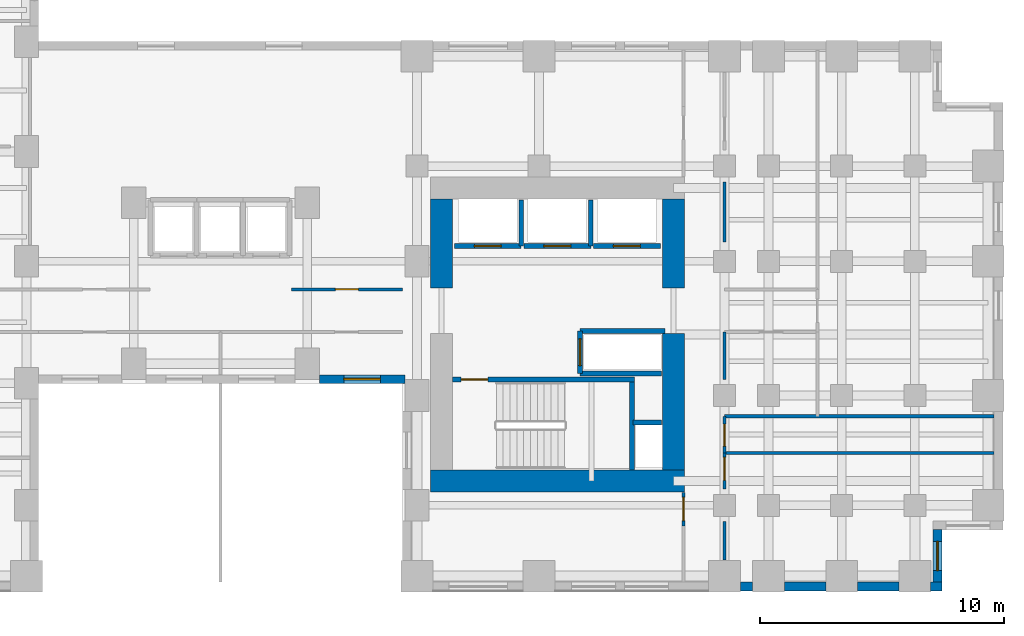
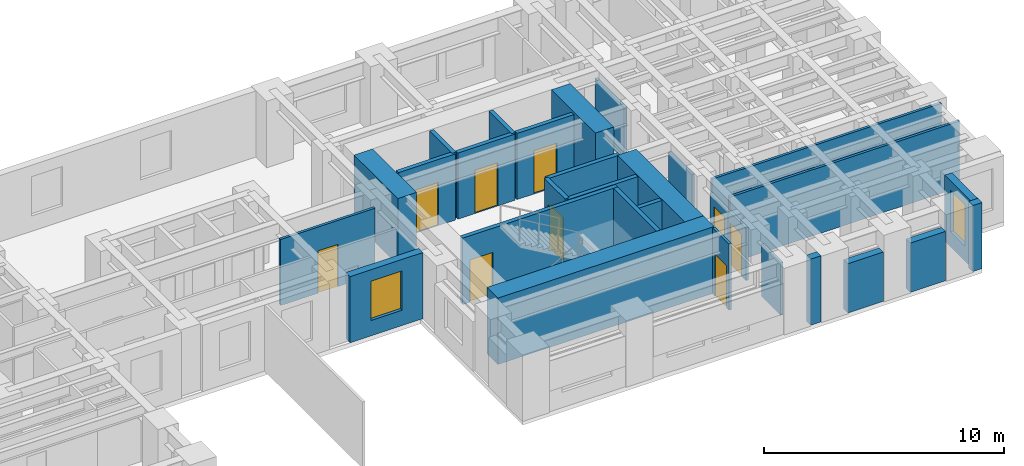
# One storey, part 7 of 12: 30 walls, 9 doors, 2 windows, 11 openings.
"""IFC4 building model written with IfcOpenShell, lengths in metres."""

from ifc_helpers import new_model, si_unit, direction, frame, frame_2d, origin, place, context, subcontext, project, spatial, rectangle, extrude, source, transform, mapped, material, layer, layer_set, type_object, element, fill, save


model = new_model("IFC4")

# Units and contexts
model_context = context("Model", 3, precision=1e-05, world=origin(), true_north=direction((0.0, 1.0)))
body_context = subcontext(model_context, "Body", "Model", "MODEL_VIEW")
ifc_project = project(units=[si_unit("LENGTHUNIT", "METRE"), si_unit("AREAUNIT", "SQUARE_METRE"), si_unit("VOLUMEUNIT", "CUBIC_METRE"), si_unit("PLANEANGLEUNIT", "RADIAN"), si_unit("MASSUNIT", "GRAM", prefix="KILO")], contexts=[model_context])

# Site, building, storey
site_placement = place(None, origin())
site = spatial("IfcSite", under=ifc_project, at=site_placement, CompositionType="ELEMENT")
building_placement = place(site_placement, origin())
building = spatial("IfcBuilding", under=site, at=building_placement, Name="Kharzan Plaza Tower", CompositionType="ELEMENT")
storey_placement = place(building_placement, frame((0.0, 0.0, 26.10009765625)))
storey = spatial("IfcBuildingStorey", under=building, at=storey_placement, Name="L06", CompositionType="ELEMENT", Elevation=26.10009765625)

# Wall, opening, window
ifc_material_1 = material(Name="Concrete C40/50", Category="concrete")
ifc_layer_1 = layer(ifc_material_1, 0.35009765625)
ifc_layer_set_1 = layer_set([ifc_layer_1], Name="Concrete C40/50")
wall_type_1 = type_object("IfcWallType", Name="WL-EXT-MAS-Z1", PredefinedType="SOLIDWALL", material=ifc_layer_set_1)
wall_1_placement = place(storey_placement, frame((30.998046875, 8.675048828125, 0.0), z_axis=(0.0, 0.0, 1.0), x_axis=(1.0, 0.0, 0.0)))
wall_1 = element("IfcWall", 1, at=wall_1_placement, inside=storey, type_object=wall_type_1, Name="L06 Masonry-Frame Exterior Wall 30", PredefinedType="SOLIDWALL", context=body_context, shape_type="SweptSolid", body=[
    extrude(rectangle(XDim=3.50390625, YDim=0.35009765625, at=frame_2d((1.751953125, 0.0))), origin(), (0.0, 0.0, 1.0), 3.364990234375),
])
opening_1_placement = place(wall_1_placement, frame((1.001953125, 0.0, 0.780029296875)))
opening_1 = element("IfcOpeningElement", 2, at=opening_1_placement, cuts=wall_1, Name="Opening W5", PredefinedType="OPENING", context=body_context, shape_type="SweptSolid", body=[
    extrude(rectangle(XDim=1.5, YDim=2.0, at=frame_2d((0.75, 1.0))), frame((0.0, 0.18505859375, 0.0), z_axis=(0.0, -1.0, 0.0), x_axis=(1.0, 0.0, 0.0)), (0.0, 0.0, 1.0), 0.3701171875),
])
ifc_material_2 = material(Name="Low-E Double Glazing", Category="glass")
window_type_1 = type_object("IfcWindowType", Name="WN-SLT-1500x2000", PartitioningType="SINGLE_PANEL", PredefinedType="WINDOW", material=ifc_material_2)
shared_shape_1 = source(origin(), body_context, "Body", "SweptSolid", [
    extrude(rectangle(XDim=1.5, YDim=2.0, at=frame_2d((0.75, 1.0))), frame((0.0, 0.030029296875, 0.0), z_axis=(0.0, -1.0, 0.0), x_axis=(1.0, 0.0, 0.0)), (0.0, 0.0, 1.0), 0.06005859375),
])
window_1_placement = place(opening_1_placement, origin())
window_1 = element("IfcWindow", 3, at=window_1_placement, inside=storey, type_object=window_type_1, Name="L06 Recessed Solar-Control Window 30-1", OverallHeight=2.0, OverallWidth=1.5, PartitioningType="SINGLE_PANEL", PredefinedType="WINDOW", context=body_context, shape_type="MappedRepresentation", body=[
    mapped(shared_shape_1, transform((0.0, 0.0, 0.0), x_axis=(1.0, 0.0, 0.0), y_axis=(0.0, 1.0, 0.0), z_axis=(0.0, 0.0, 1.0))),
])
fill(opening_1, window_1)

wall_2_placement = place(storey_placement, frame((56.324951171875, 0.347900390625, 0.0), z_axis=(0.0, 0.0, 1.0), x_axis=(0.0, 1.0, 0.0)))
wall_2 = element("IfcWall", 4, at=wall_2_placement, inside=storey, type_object=wall_type_1, Name="L06 Masonry-Frame Exterior Wall 39", PredefinedType="SOLIDWALL", context=body_context, shape_type="SweptSolid", body=[
    extrude(rectangle(XDim=2.154052734375, YDim=0.35009765625, at=frame_2d((1.0771484375, 0.0))), origin(), (0.0, 0.0, 1.0), 3.364990234375),
])
opening_2_placement = place(wall_2_placement, frame((0.47705078125, 0.0, 0.780029296875)))
opening_2 = element("IfcOpeningElement", 5, at=opening_2_placement, cuts=wall_2, Name="Opening W3", PredefinedType="OPENING", context=body_context, shape_type="SweptSolid", body=[
    extrude(rectangle(XDim=1.199951171875, YDim=2.10009765625, at=frame_2d((0.60009765625, 1.050048828125))), frame((0.0, 0.18505859375, 0.0), z_axis=(0.0, -1.0, 0.0), x_axis=(1.0, 0.0, 0.0)), (0.0, 0.0, 1.0), 0.3701171875),
])
window_type_2 = type_object("IfcWindowType", Name="WN-REC-1200x2100", PartitioningType="SINGLE_PANEL", PredefinedType="WINDOW", material=ifc_material_2)
shared_shape_2 = source(origin(), body_context, "Body", "SweptSolid", [
    extrude(rectangle(XDim=1.199951171875, YDim=2.10009765625, at=frame_2d((0.60009765625, 1.050048828125))), frame((0.0, 0.030029296875, 0.0), z_axis=(0.0, -1.0, 0.0), x_axis=(1.0, 0.0, 0.0)), (0.0, 0.0, 1.0), 0.06005859375),
])
window_2_placement = place(opening_2_placement, origin())
window_2 = element("IfcWindow", 6, at=window_2_placement, inside=storey, type_object=window_type_2, Name="L06 Recessed Solar-Control Window 39-1", OverallHeight=2.10009765625, OverallWidth=1.199951171875, PartitioningType="SINGLE_PANEL", PredefinedType="WINDOW", context=body_context, shape_type="MappedRepresentation", body=[
    mapped(shared_shape_2, transform((0.0, 0.0, 0.0), x_axis=(1.0, 0.0, 0.0), y_axis=(0.0, 1.0, 0.0), z_axis=(0.0, 0.0, 1.0))),
])
fill(opening_2, window_2)

# Wall, opening, door
ifc_material_3 = material(Name="Fire-Rated Gypsum Board Partition", Category="gypsum")
ifc_layer_2 = layer(ifc_material_3, 0.125)
ifc_layer_set_2 = layer_set([ifc_layer_2], Name="Fire-Rated Gypsum Board Partition")
wall_type_2 = type_object("IfcWallType", Name="WL-INT-PART-125", PredefinedType="PARTITIONING", material=ifc_layer_set_2)
wall_3_placement = place(storey_placement, frame((47.60009765625, 4.159912109375, 0.0), z_axis=(0.0, 0.0, 1.0), x_axis=(0.0, 1.0, 0.0)))
wall_3 = element("IfcWall", 7, at=wall_3_placement, inside=storey, type_object=wall_type_2, Name="L06 Interior Partition SH-B2W0", PredefinedType="PARTITIONING", context=body_context, shape_type="SweptSolid", body=[
    extrude(rectangle(XDim=1.489990234375, YDim=0.125, at=frame_2d((0.7451171875, 0.0))), origin(), (0.0, 0.0, 1.0), 2.669921875),
])
opening_3_placement = place(wall_3_placement, frame((0.360107421875, 0.0, 0.0)))
opening_3 = element("IfcOpeningElement", 8, at=opening_3_placement, cuts=wall_3, Name="Opening OD1", PredefinedType="OPENING", context=body_context, shape_type="SweptSolid", body=[
    extrude(rectangle(XDim=0.949951171875, YDim=2.14990234375, at=frame_2d((0.47509765625, 1.074951171875))), frame((0.0, 0.072509765625, 0.0), z_axis=(0.0, -1.0, 0.0), x_axis=(1.0, 0.0, 0.0)), (0.0, 0.0, 1.0), 0.14501953125),
])
ifc_material_4 = material(Name="Acoustic Solid-Core Stained Oak", Category="timber")
door_type_1 = type_object("IfcDoorType", Name="DR-OFF-SINGLE", OperationType="NOTDEFINED", PredefinedType="DOOR", material=ifc_material_4)
shared_shape_3 = source(origin(), body_context, "Body", "SweptSolid", [
    extrude(rectangle(XDim=0.949951171875, YDim=2.14990234375, at=frame_2d((0.47509765625, 1.074951171875))), frame((0.0, 0.02490234375, 0.0), z_axis=(0.0, -1.0, 0.0), x_axis=(1.0, 0.0, 0.0)), (0.0, 0.0, 1.0), 0.050048828125),
])
door_1_placement = place(opening_3_placement, origin())
door_1 = element("IfcDoor", 9, at=door_1_placement, inside=storey, type_object=door_type_1, Name="L06 Wing B South Office Door", OperationType="SINGLE_SWING_RIGHT", OverallHeight=2.14990234375, OverallWidth=0.949951171875, PredefinedType="DOOR", context=body_context, shape_type="MappedRepresentation", body=[
    mapped(shared_shape_3, transform((0.0, 0.0, 0.0), x_axis=(1.0, 0.0, 0.0), y_axis=(0.0, 1.0, 0.0), z_axis=(0.0, 0.0, 1.0))),
])
fill(opening_3, door_1)

wall_4_placement = place(storey_placement, frame((47.60009765625, 5.64990234375, 0.0), z_axis=(0.0, 0.0, 1.0), x_axis=(0.0, 1.0, 0.0)))
wall_4 = element("IfcWall", 10, at=wall_4_placement, inside=storey, type_object=wall_type_2, Name="L06 Interior Partition SH-B2WC", PredefinedType="PARTITIONING", context=body_context, shape_type="SweptSolid", body=[
    extrude(rectangle(XDim=1.5, YDim=0.125, at=frame_2d((0.75, 0.0))), origin(), (0.0, 0.0, 1.0), 2.669921875),
])
opening_4_placement = place(wall_4_placement, frame((0.27490234375, 0.0, 0.0)))
opening_4 = element("IfcOpeningElement", 11, at=opening_4_placement, cuts=wall_4, Name="Opening WD1", PredefinedType="OPENING", context=body_context, shape_type="SweptSolid", body=[
    extrude(rectangle(XDim=0.89990234375, YDim=2.14990234375, at=frame_2d((0.449951171875, 1.074951171875))), frame((0.0, 0.072509765625, 0.0), z_axis=(0.0, -1.0, 0.0), x_axis=(1.0, 0.0, 0.0)), (0.0, 0.0, 1.0), 0.14501953125),
])
ifc_material_5 = material(Name="Moisture-Resistant Fire-Rated Laminate", Category="timber")
door_type_2 = type_object("IfcDoorType", Name="DR-WC-900", OperationType="NOTDEFINED", PredefinedType="DOOR", material=ifc_material_5)
shared_shape_4 = source(origin(), body_context, "Body", "SweptSolid", [
    extrude(rectangle(XDim=0.89990234375, YDim=2.14990234375, at=frame_2d((0.449951171875, 1.074951171875))), frame((0.0, 0.02490234375, 0.0), z_axis=(0.0, -1.0, 0.0), x_axis=(1.0, 0.0, 0.0)), (0.0, 0.0, 1.0), 0.050048828125),
])
door_2_placement = place(opening_4_placement, origin())
door_2 = element("IfcDoor", 12, at=door_2_placement, inside=storey, type_object=door_type_2, Name="L06 Wing B Washroom Door", OperationType="SINGLE_SWING_LEFT", OverallHeight=2.14990234375, OverallWidth=0.89990234375, PredefinedType="DOOR", context=body_context, shape_type="MappedRepresentation", body=[
    mapped(shared_shape_4, transform((0.0, 0.0, 0.0), x_axis=(1.0, 0.0, 0.0), y_axis=(0.0, 1.0, 0.0), z_axis=(0.0, 0.0, 1.0))),
])
fill(opening_4, door_2)

wall_5_placement = place(storey_placement, frame((45.919921875, 2.64990234375, 0.0), z_axis=(0.0, 0.0, 1.0), x_axis=(0.0, 1.0, 0.0)))
wall_5 = element("IfcWall", 13, at=wall_5_placement, inside=storey, type_object=wall_type_2, Name="L06 Interior Partition SH-RBSE", PredefinedType="PARTITIONING", context=body_context, shape_type="SweptSolid", body=[
    extrude(rectangle(XDim=1.3701171875, YDim=0.125, at=frame_2d((0.68505859375, 0.0))), origin(), (0.0, 0.0, 1.0), 3.364990234375),
])
opening_5_placement = place(wall_5_placement, frame((0.22509765625, 0.0, 0.0)))
opening_5 = element("IfcOpeningElement", 14, at=opening_5_placement, cuts=wall_5, Name="Opening OD1", PredefinedType="OPENING", context=body_context, shape_type="SweptSolid", body=[
    extrude(rectangle(XDim=0.949951171875, YDim=2.14990234375, at=frame_2d((0.47509765625, 1.074951171875))), frame((0.0, 0.072509765625, 0.0), z_axis=(0.0, -1.0, 0.0), x_axis=(1.0, 0.0, 0.0)), (0.0, 0.0, 1.0), 0.14501953125),
])
door_3_placement = place(opening_5_placement, origin())
door_3 = element("IfcDoor", 15, at=door_3_placement, inside=storey, type_object=door_type_1, Name="L06 South-East Corner Office Door", OperationType="SINGLE_SWING_RIGHT", OverallHeight=2.14990234375, OverallWidth=0.949951171875, PredefinedType="DOOR", context=body_context, shape_type="MappedRepresentation", body=[
    mapped(shared_shape_3, transform((0.0, 0.0, 0.0), x_axis=(1.0, 0.0, 0.0), y_axis=(0.0, 1.0, 0.0), z_axis=(0.0, 0.0, 1.0))),
])
fill(opening_5, door_3)

wall_6_placement = place(storey_placement, frame((29.85009765625, 12.35009765625, 0.0), z_axis=(0.0, 0.0, 1.0), x_axis=(1.0, 0.0, 0.0)))
wall_6 = element("IfcWall", 16, at=wall_6_placement, inside=storey, type_object=wall_type_2, Name="L06 Interior Partition SH-SPNE1", PredefinedType="PARTITIONING", context=body_context, shape_type="SweptSolid", body=[
    extrude(rectangle(XDim=4.5498046875, YDim=0.125, at=frame_2d((2.27490234375, 0.0))), origin(), (0.0, 0.0, 1.0), 3.364990234375),
])
opening_6_placement = place(wall_6_placement, frame((1.800048828125, 0.0, 0.0)))
opening_6 = element("IfcOpeningElement", 17, at=opening_6_placement, cuts=wall_6, Name="Opening OD1", PredefinedType="OPENING", context=body_context, shape_type="SweptSolid", body=[
    extrude(rectangle(XDim=0.949951171875, YDim=2.14990234375, at=frame_2d((0.47509765625, 1.074951171875))), frame((0.0, 0.072509765625, 0.0), z_axis=(0.0, -1.0, 0.0), x_axis=(1.0, 0.0, 0.0)), (0.0, 0.0, 1.0), 0.14501953125),
])
door_4_placement = place(opening_6_placement, origin())
door_4 = element("IfcDoor", 18, at=door_4_placement, inside=storey, type_object=door_type_1, Name="L06 North-East Spine Door", OperationType="SINGLE_SWING_LEFT", OverallHeight=2.14990234375, OverallWidth=0.949951171875, PredefinedType="DOOR", context=body_context, shape_type="MappedRepresentation", body=[
    mapped(shared_shape_3, transform((0.0, 0.0, 0.0), x_axis=(1.0, 0.0, 0.0), y_axis=(0.0, 1.0, 0.0), z_axis=(0.0, 0.0, 1.0))),
])
fill(opening_6, door_4)

ifc_layer_3 = layer(ifc_material_1, 0.199951171875)
ifc_layer_set_3 = layer_set([ifc_layer_3], Name="Concrete C40/50")
wall_type_3 = type_object("IfcWallType", Name="WL-INT-SHAFT-200", PredefinedType="PARTITIONING", material=ifc_layer_set_3)
wall_7_placement = place(storey_placement, frame((36.530029296875, 14.1298828125, 0.0), z_axis=(0.0, 0.0, 1.0), x_axis=(1.0, 0.0, 0.0)))
wall_7 = element("IfcWall", 19, at=wall_7_placement, inside=storey, type_object=wall_type_3, Name="L06 Interior Partition SHF-PL-L1-S", PredefinedType="PARTITIONING", context=body_context, shape_type="SweptSolid", body=[
    extrude(rectangle(XDim=2.739990234375, YDim=0.199951171875, at=frame_2d((1.3701171875, 0.0))), origin(), (0.0, 0.0, 1.0), 3.364990234375),
])
opening_7_placement = place(wall_7_placement, frame((0.820068359375, 0.0, 0.0)))
opening_7 = element("IfcOpeningElement", 20, at=opening_7_placement, cuts=wall_7, Name="Opening LD", PredefinedType="OPENING", context=body_context, shape_type="SweptSolid", body=[
    extrude(rectangle(XDim=1.10009765625, YDim=2.199951171875, at=frame_2d((0.550048828125, 1.10009765625))), frame((0.0, 0.10986328125, 0.0), z_axis=(0.0, -1.0, 0.0), x_axis=(1.0, 0.0, 0.0)), (0.0, 0.0, 1.0), 0.219970703125),
])
ifc_material_6 = material(Name="Brushed Stainless Steel", Category="steel")
door_type_3 = type_object("IfcDoorType", Name="DR-LIFT-SLIDE", OperationType="SLIDING_TO_LEFT", PredefinedType="DOOR", material=ifc_material_6)
shared_shape_5 = source(origin(), body_context, "Body", "SweptSolid", [
    extrude(rectangle(XDim=1.10009765625, YDim=2.199951171875, at=frame_2d((0.550048828125, 1.10009765625))), frame((0.0, 0.02490234375, 0.0), z_axis=(0.0, -1.0, 0.0), x_axis=(1.0, 0.0, 0.0)), (0.0, 0.0, 1.0), 0.050048828125),
])
door_5_placement = place(opening_7_placement, origin())
door_5 = element("IfcDoor", 21, at=door_5_placement, inside=storey, type_object=door_type_3, Name="L06 Low-Rise Passenger Lift PL-L1 Sliding Landing Door", OperationType="SLIDING_TO_LEFT", OverallHeight=2.199951171875, OverallWidth=1.10009765625, PredefinedType="DOOR", context=body_context, shape_type="MappedRepresentation", body=[
    mapped(shared_shape_5, transform((0.0, 0.0, 0.0), x_axis=(1.0, 0.0, 0.0), y_axis=(0.0, 1.0, 0.0), z_axis=(0.0, 0.0, 1.0))),
])
fill(opening_7, door_5)

wall_8_placement = place(storey_placement, frame((39.3798828125, 14.1298828125, 0.0), z_axis=(0.0, 0.0, 1.0), x_axis=(1.0, 0.0, 0.0)))
wall_8 = element("IfcWall", 22, at=wall_8_placement, inside=storey, type_object=wall_type_3, Name="L06 Interior Partition SHF-PL-L2-S", PredefinedType="PARTITIONING", context=body_context, shape_type="SweptSolid", body=[
    extrude(rectangle(XDim=2.740234375, YDim=0.199951171875, at=frame_2d((1.3701171875, 0.0))), origin(), (0.0, 0.0, 1.0), 3.364990234375),
])
opening_8_placement = place(wall_8_placement, frame((0.820068359375, 0.0, 0.0)))
opening_8 = element("IfcOpeningElement", 23, at=opening_8_placement, cuts=wall_8, Name="Opening LD", PredefinedType="OPENING", context=body_context, shape_type="SweptSolid", body=[
    extrude(rectangle(XDim=1.10009765625, YDim=2.199951171875, at=frame_2d((0.550048828125, 1.10009765625))), frame((0.0, 0.10986328125, 0.0), z_axis=(0.0, -1.0, 0.0), x_axis=(1.0, 0.0, 0.0)), (0.0, 0.0, 1.0), 0.219970703125),
])
door_6_placement = place(opening_8_placement, origin())
door_6 = element("IfcDoor", 24, at=door_6_placement, inside=storey, type_object=door_type_3, Name="L06 Low-Rise Passenger Lift PL-L2 Sliding Landing Door", OperationType="SLIDING_TO_LEFT", OverallHeight=2.199951171875, OverallWidth=1.10009765625, PredefinedType="DOOR", context=body_context, shape_type="MappedRepresentation", body=[
    mapped(shared_shape_5, transform((0.0, 0.0, 0.0), x_axis=(1.0, 0.0, 0.0), y_axis=(0.0, 1.0, 0.0), z_axis=(0.0, 0.0, 1.0))),
])
fill(opening_8, door_6)

wall_9_placement = place(storey_placement, frame((42.22998046875, 14.1298828125, 0.0), z_axis=(0.0, 0.0, 1.0), x_axis=(1.0, 0.0, 0.0)))
wall_9 = element("IfcWall", 25, at=wall_9_placement, inside=storey, type_object=wall_type_3, Name="L06 Interior Partition SHF-PL-L3-S", PredefinedType="PARTITIONING", context=body_context, shape_type="SweptSolid", body=[
    extrude(rectangle(XDim=2.739990234375, YDim=0.199951171875, at=frame_2d((1.3701171875, 0.0))), origin(), (0.0, 0.0, 1.0), 3.364990234375),
])
opening_9_placement = place(wall_9_placement, frame((0.820068359375, 0.0, 0.0)))
opening_9 = element("IfcOpeningElement", 26, at=opening_9_placement, cuts=wall_9, Name="Opening LD", PredefinedType="OPENING", context=body_context, shape_type="SweptSolid", body=[
    extrude(rectangle(XDim=1.10009765625, YDim=2.199951171875, at=frame_2d((0.550048828125, 1.10009765625))), frame((0.0, 0.10986328125, 0.0), z_axis=(0.0, -1.0, 0.0), x_axis=(1.0, 0.0, 0.0)), (0.0, 0.0, 1.0), 0.219970703125),
])
door_7_placement = place(opening_9_placement, origin())
door_7 = element("IfcDoor", 27, at=door_7_placement, inside=storey, type_object=door_type_3, Name="L06 Low-Rise Passenger Lift PL-L3 Sliding Landing Door", OperationType="SLIDING_TO_LEFT", OverallHeight=2.199951171875, OverallWidth=1.10009765625, PredefinedType="DOOR", context=body_context, shape_type="MappedRepresentation", body=[
    mapped(shared_shape_5, transform((0.0, 0.0, 0.0), x_axis=(1.0, 0.0, 0.0), y_axis=(0.0, 1.0, 0.0), z_axis=(0.0, 0.0, 1.0))),
])
fill(opening_9, door_7)

wall_10_placement = place(storey_placement, frame((41.679931640625, 8.89990234375, 0.0), z_axis=(0.0, 0.0, 1.0), x_axis=(0.0, 1.0, 0.0)))
wall_10 = element("IfcWall", 28, at=wall_10_placement, inside=storey, type_object=wall_type_3, Name="L06 Interior Partition SHF-SVL-2-W", PredefinedType="PARTITIONING", context=body_context, shape_type="SweptSolid", body=[
    extrude(rectangle(XDim=1.739990234375, YDim=0.199951171875, at=frame_2d((0.8701171875, 0.0))), origin(), (0.0, 0.0, 1.0), 3.364990234375),
])
opening_10_placement = place(wall_10_placement, frame((0.320068359375, 0.0, 0.0)))
opening_10 = element("IfcOpeningElement", 29, at=opening_10_placement, cuts=wall_10, Name="Opening LD", PredefinedType="OPENING", context=body_context, shape_type="SweptSolid", body=[
    extrude(rectangle(XDim=1.10009765625, YDim=2.199951171875, at=frame_2d((0.550048828125, 1.10009765625))), frame((0.0, 0.10986328125, 0.0), z_axis=(0.0, -1.0, 0.0), x_axis=(1.0, 0.0, 0.0)), (0.0, 0.0, 1.0), 0.219970703125),
])
door_8_placement = place(opening_10_placement, origin())
door_8 = element("IfcDoor", 30, at=door_8_placement, inside=storey, type_object=door_type_3, Name="L06 Service Lift SVL-2 Sliding Landing Door", OperationType="SLIDING_TO_LEFT", OverallHeight=2.199951171875, OverallWidth=1.10009765625, PredefinedType="DOOR", context=body_context, shape_type="MappedRepresentation", body=[
    mapped(shared_shape_5, transform((0.0, 0.0, 0.0), x_axis=(1.0, 0.0, 0.0), y_axis=(0.0, 1.0, 0.0), z_axis=(0.0, 0.0, 1.0))),
])
fill(opening_10, door_8)

ifc_material_7 = material(Name="Concrete C50/60", Category="concrete")
ifc_layer_4 = layer(ifc_material_7, 0.199951171875)
ifc_layer_set_4 = layer_set([ifc_layer_4], Name="Concrete C50/60")
wall_type_4 = type_object("IfcWallType", Name="WL-SHAFT-RC200", PredefinedType="SHEAR", material=ifc_layer_set_4)
wall_11_placement = place(storey_placement, frame((36.451904296875, 8.655029296875, 0.0), z_axis=(0.0, 0.0, 1.0), x_axis=(1.0, 0.0, 0.0)))
wall_11 = element("IfcWall", 31, at=wall_11_placement, inside=storey, type_object=wall_type_4, Name="L06 Stair ST-3 North RC Shaft Wall", PredefinedType="SHEAR", context=body_context, shape_type="SweptSolid", body=[
    extrude(rectangle(XDim=7.453125, YDim=0.199951171875, at=frame_2d((3.7265625, 0.0))), origin(), (0.0, 0.0, 1.0), 3.3798828125),
])
opening_11_placement = place(wall_11_placement, frame((0.35009765625, 0.0, 0.0)))
opening_11 = element("IfcOpeningElement", 32, at=opening_11_placement, cuts=wall_11, Name="Opening SD1", PredefinedType="OPENING", context=body_context, shape_type="SweptSolid", body=[
    extrude(rectangle(XDim=1.10009765625, YDim=2.14990234375, at=frame_2d((0.550048828125, 1.074951171875))), frame((0.0, 0.10986328125, 0.0), z_axis=(0.0, -1.0, 0.0), x_axis=(1.0, 0.0, 0.0)), (0.0, 0.0, 1.0), 0.219970703125),
])
ifc_material_8 = material(Name="Fire-Rated Hollow Galvanized Steel", Category="steel")
door_type_4 = type_object("IfcDoorType", Name="DR-STAIR-FD120", OperationType="NOTDEFINED", PredefinedType="DOOR", material=ifc_material_8)
shared_shape_6 = source(origin(), body_context, "Body", "SweptSolid", [
    extrude(rectangle(XDim=1.10009765625, YDim=2.14990234375, at=frame_2d((0.550048828125, 1.074951171875))), frame((0.0, 0.02490234375, 0.0), z_axis=(0.0, -1.0, 0.0), x_axis=(1.0, 0.0, 0.0)), (0.0, 0.0, 1.0), 0.050048828125),
])
door_9_placement = place(opening_11_placement, origin())
door_9 = element("IfcDoor", 33, at=door_9_placement, inside=storey, type_object=door_type_4, Name="L06 Stair ST-3 Fire Exit Door", OperationType="SINGLE_SWING_RIGHT", OverallHeight=2.14990234375, OverallWidth=1.10009765625, PredefinedType="DOOR", context=body_context, shape_type="MappedRepresentation", body=[
    mapped(shared_shape_6, transform((0.0, 0.0, 0.0), x_axis=(1.0, 0.0, 0.0), y_axis=(0.0, 1.0, 0.0), z_axis=(0.0, 0.0, 1.0))),
])
fill(opening_11, door_9)

# Walls
ifc_material_9 = material(Name="Concrete C60/75", Category="concrete")
ifc_layer_5 = layer(ifc_material_9, 0.89990234375)
ifc_layer_set_5 = layer_set([ifc_layer_5], Name="Concrete C60/75")
wall_type_5 = type_object("IfcWallType", Name="WL-CORE-900", PredefinedType="SHEAR", material=ifc_layer_set_5)
shared_shape_7 = source(origin(), body_context, "Body", "SweptSolid", [
    extrude(rectangle(XDim=5.60009765625, YDim=0.89990234375, at=frame_2d((2.800048828125, 0.0))), origin(), (0.0, 0.0, 1.0), 3.3798828125),
])
wall_12_placement = place(storey_placement, frame((45.5, 4.949951171875, 0.0), z_axis=(0.0, 0.0, 1.0), x_axis=(0.0, 1.0, 0.0)))
element("IfcWall", 34, at=wall_12_placement, inside=storey, type_object=wall_type_5, Name="L06 CORE-B east shear pier 1", PredefinedType="SHEAR", context=body_context, shape_type="MappedRepresentation", body=[
    mapped(shared_shape_7, transform((0.0, 0.0, 0.0), x_axis=(1.0, 0.0, 0.0), y_axis=(0.0, 1.0, 0.0), z_axis=(0.0, 0.0, 1.0))),
])
shared_shape_8 = source(origin(), body_context, "Body", "SweptSolid", [
    extrude(rectangle(XDim=3.650146484375, YDim=0.89990234375, at=frame_2d((1.8251953125, 0.0))), origin(), (0.0, 0.0, 1.0), 3.3798828125),
])
for number, where, z_axis, x_axis, name in (
    (35, (45.5, 12.39990234375, 0.0), (0.0, 0.0, 1.0), (0.0, 1.0, 0.0), "L06 CORE-B east shear pier 2"),
    (36, (36.0, 12.39990234375, 0.0), (0.0, 0.0, 1.0), (0.0, 1.0, 0.0), "L06 CORE-B west shear pier 2"),
):
    element("IfcWall", number, at=place(storey_placement, frame(where, z_axis=z_axis, x_axis=x_axis)), inside=storey, type_object=wall_type_5, Name=name, PredefinedType="SHEAR", context=body_context, shape_type="MappedRepresentation", body=[
        mapped(shared_shape_8, transform((0.0, 0.0, 0.0), x_axis=(1.0, 0.0, 0.0), y_axis=(0.0, 1.0, 0.0), z_axis=(0.0, 0.0, 1.0))),
    ])
shared_shape_9 = source(origin(), body_context, "Body", "SweptSolid", [
    extrude(rectangle(XDim=10.39990234375, YDim=0.89990234375, at=frame_2d((5.199951171875, 0.0))), origin(), (0.0, 0.0, 1.0), 3.3798828125),
])
wall_13_placement = place(storey_placement, frame((35.550048828125, 4.5, 0.0), z_axis=(0.0, 0.0, 1.0), x_axis=(1.0, 0.0, 0.0)))
element("IfcWall", 37, at=wall_13_placement, inside=storey, type_object=wall_type_5, Name="L06 CORE-B south RC shear wall", PredefinedType="SHEAR", context=body_context, shape_type="MappedRepresentation", body=[
    mapped(shared_shape_9, transform((0.0, 0.0, 0.0), x_axis=(1.0, 0.0, 0.0), y_axis=(0.0, 1.0, 0.0), z_axis=(0.0, 0.0, 1.0))),
])
shared_shape_10 = source(origin(), body_context, "Body", "SweptSolid", [
    extrude(rectangle(XDim=0.50390625, YDim=0.35009765625, at=frame_2d((0.251953125, 0.0))), origin(), (0.0, 0.0, 1.0), 3.364990234375),
])
wall_14_placement = place(storey_placement, frame((48.248046875, 0.175048828125, 0.0), z_axis=(0.0, 0.0, 1.0), x_axis=(1.0, 0.0, 0.0)))
element("IfcWall", 38, at=wall_14_placement, inside=storey, type_object=wall_type_1, Name="L06 Masonry-Frame Exterior Wall 35", PredefinedType="SOLIDWALL", context=body_context, shape_type="MappedRepresentation", body=[
    mapped(shared_shape_10, transform((0.0, 0.0, 0.0), x_axis=(1.0, 0.0, 0.0), y_axis=(0.0, 1.0, 0.0), z_axis=(0.0, 0.0, 1.0))),
])
shared_shape_11 = source(origin(), body_context, "Body", "SweptSolid", [
    extrude(rectangle(XDim=1.703857421875, YDim=0.35009765625, at=frame_2d((0.85205078125, 0.0))), origin(), (0.0, 0.0, 1.0), 2.510009765625),
])
for number, where, z_axis, x_axis, name in (
    (39, (50.048095703125, 0.175048828125, 0.0), (0.0, 0.0, 1.0), (1.0, 0.0, 0.0), "L06 Masonry-Frame Exterior Wall 36"),
    (40, (53.048095703125, 0.175048828125, 0.0), (0.0, 0.0, 1.0), (1.0, 0.0, 0.0), "L06 Masonry-Frame Exterior Wall 37"),
):
    element("IfcWall", number, at=place(storey_placement, frame(where, z_axis=z_axis, x_axis=x_axis)), inside=storey, type_object=wall_type_1, Name=name, PredefinedType="SOLIDWALL", context=body_context, shape_type="MappedRepresentation", body=[
        mapped(shared_shape_11, transform((0.0, 0.0, 0.0), x_axis=(1.0, 0.0, 0.0), y_axis=(0.0, 1.0, 0.0), z_axis=(0.0, 0.0, 1.0))),
    ])
shared_shape_12 = source(origin(), body_context, "Body", "SweptSolid", [
    extrude(rectangle(XDim=0.451904296875, YDim=0.35009765625, at=frame_2d((0.22607421875, 0.0))), origin(), (0.0, 0.0, 1.0), 3.364990234375),
])
wall_15_placement = place(storey_placement, frame((56.048095703125, 0.175048828125, 0.0), z_axis=(0.0, 0.0, 1.0), x_axis=(1.0, 0.0, 0.0)))
element("IfcWall", 41, at=wall_15_placement, inside=storey, type_object=wall_type_1, Name="L06 Masonry-Frame Exterior Wall 38", PredefinedType="SOLIDWALL", context=body_context, shape_type="MappedRepresentation", body=[
    mapped(shared_shape_12, transform((0.0, 0.0, 0.0), x_axis=(1.0, 0.0, 0.0), y_axis=(0.0, 1.0, 0.0), z_axis=(0.0, 0.0, 1.0))),
])
shared_shape_13 = source(origin(), body_context, "Body", "SweptSolid", [
    extrude(rectangle(XDim=11.0478515625, YDim=0.125, at=frame_2d((5.52392578125, 0.0))), origin(), (0.0, 0.0, 1.0), 3.364990234375),
])
for number, where, z_axis, x_axis, name in (
    (42, (47.60009765625, 5.64990234375, 0.0), (0.0, 0.0, 1.0), (1.0, 0.0, 0.0), "L06 Interior Partition SH-B2H1"),
    (43, (47.60009765625, 7.14990234375, 0.0), (0.0, 0.0, 1.0), (1.0, 0.0, 0.0), "L06 Interior Partition SH-B2H2"),
):
    element("IfcWall", number, at=place(storey_placement, frame(where, z_axis=z_axis, x_axis=x_axis)), inside=storey, type_object=wall_type_2, Name=name, PredefinedType="PARTITIONING", context=body_context, shape_type="MappedRepresentation", body=[
        mapped(shared_shape_13, transform((0.0, 0.0, 0.0), x_axis=(1.0, 0.0, 0.0), y_axis=(0.0, 1.0, 0.0), z_axis=(0.0, 0.0, 1.0))),
    ])
shared_shape_14 = source(origin(), body_context, "Body", "SweptSolid", [
    extrude(rectangle(XDim=1.580078125, YDim=0.125, at=frame_2d((0.7900390625, 0.0))), origin(), (0.0, 0.0, 1.0), 2.669921875),
])
wall_16_placement = place(storey_placement, frame((47.60009765625, 1.260009765625, 0.0), z_axis=(0.0, 0.0, 1.0), x_axis=(0.0, 1.0, 0.0)))
element("IfcWall", 44, at=wall_16_placement, inside=storey, type_object=wall_type_2, Name="L06 Interior Partition SH-B2W0S", PredefinedType="PARTITIONING", context=body_context, shape_type="MappedRepresentation", body=[
    mapped(shared_shape_14, transform((0.0, 0.0, 0.0), x_axis=(1.0, 0.0, 0.0), y_axis=(0.0, 1.0, 0.0), z_axis=(0.0, 0.0, 1.0))),
])
shared_shape_15 = source(origin(), body_context, "Body", "SweptSolid", [
    extrude(rectangle(XDim=1.169921875, YDim=0.199951171875, at=frame_2d((0.5849609375, 0.0))), origin(), (0.0, 0.0, 1.0), 3.364990234375),
])
wall_17_placement = place(storey_placement, frame((43.85009765625, 6.89990234375, 0.0), z_axis=(0.0, 0.0, 1.0), x_axis=(1.0, 0.0, 0.0)))
element("IfcWall", 45, at=wall_17_placement, inside=storey, type_object=wall_type_3, Name="L06 Interior Partition CB-RSRB-N", PredefinedType="PARTITIONING", context=body_context, shape_type="MappedRepresentation", body=[
    mapped(shared_shape_15, transform((0.0, 0.0, 0.0), x_axis=(1.0, 0.0, 0.0), y_axis=(0.0, 1.0, 0.0), z_axis=(0.0, 0.0, 1.0))),
])
shared_shape_16 = source(origin(), body_context, "Body", "SweptSolid", [
    extrude(rectangle(XDim=1.89013671875, YDim=0.199951171875, at=frame_2d((0.945068359375, 0.0))), origin(), (0.0, 0.0, 1.0), 3.364990234375),
])
for number, where, z_axis, x_axis, name in (
    (46, (39.27001953125, 14.1298828125, 0.0), (0.0, 0.0, 1.0), (0.0, 1.0, 0.0), "L06 Interior Partition SHF-PL-L1-E"),
    (47, (42.1201171875, 14.1298828125, 0.0), (0.0, 0.0, 1.0), (0.0, 1.0, 0.0), "L06 Interior Partition SHF-PL-L2-E"),
):
    element("IfcWall", number, at=place(storey_placement, frame(where, z_axis=z_axis, x_axis=x_axis)), inside=storey, type_object=wall_type_3, Name=name, PredefinedType="PARTITIONING", context=body_context, shape_type="MappedRepresentation", body=[
        mapped(shared_shape_16, transform((0.0, 0.0, 0.0), x_axis=(1.0, 0.0, 0.0), y_axis=(0.0, 1.0, 0.0), z_axis=(0.0, 0.0, 1.0))),
    ])
shared_shape_17 = source(origin(), body_context, "Body", "SweptSolid", [
    extrude(rectangle(XDim=3.489990234375, YDim=0.199951171875, at=frame_2d((1.7451171875, 0.0))), origin(), (0.0, 0.0, 1.0), 3.364990234375),
])
wall_18_placement = place(storey_placement, frame((41.679931640625, 10.639892578125, 0.0), z_axis=(0.0, 0.0, 1.0), x_axis=(1.0, 0.0, 0.0)))
element("IfcWall", 48, at=wall_18_placement, inside=storey, type_object=wall_type_3, Name="L06 Interior Partition SHF-SVL-2-N", PredefinedType="PARTITIONING", context=body_context, shape_type="MappedRepresentation", body=[
    mapped(shared_shape_17, transform((0.0, 0.0, 0.0), x_axis=(1.0, 0.0, 0.0), y_axis=(0.0, 1.0, 0.0), z_axis=(0.0, 0.0, 1.0))),
])
shared_shape_18 = source(origin(), body_context, "Body", "SweptSolid", [
    extrude(rectangle(XDim=3.340087890625, YDim=0.199951171875, at=frame_2d((1.669921875, 0.0))), origin(), (0.0, 0.0, 1.0), 3.364990234375),
])
wall_19_placement = place(storey_placement, frame((41.679931640625, 8.89990234375, 0.0), z_axis=(0.0, 0.0, 1.0), x_axis=(1.0, 0.0, 0.0)))
element("IfcWall", 49, at=wall_19_placement, inside=storey, type_object=wall_type_3, Name="L06 Interior Partition SHF-SVL-2-S", PredefinedType="PARTITIONING", context=body_context, shape_type="MappedRepresentation", body=[
    mapped(shared_shape_18, transform((0.0, 0.0, 0.0), x_axis=(1.0, 0.0, 0.0), y_axis=(0.0, 1.0, 0.0), z_axis=(0.0, 0.0, 1.0))),
])
shared_shape_19 = source(origin(), body_context, "Body", "SweptSolid", [
    extrude(rectangle(XDim=3.60302734375, YDim=0.199951171875, at=frame_2d((1.801513671875, 0.0))), origin(), (0.0, 0.0, 1.0), 3.3798828125),
])
wall_20_placement = place(storey_placement, frame((43.804931640625, 4.951904296875, 0.0), z_axis=(0.0, 0.0, 1.0), x_axis=(0.0, 1.0, 0.0)))
element("IfcWall", 50, at=wall_20_placement, inside=storey, type_object=wall_type_4, Name="L06 Stair ST-3 East RC Shaft Wall", PredefinedType="SHEAR", context=body_context, shape_type="MappedRepresentation", body=[
    mapped(shared_shape_19, transform((0.0, 0.0, 0.0), x_axis=(1.0, 0.0, 0.0), y_axis=(0.0, 1.0, 0.0), z_axis=(0.0, 0.0, 1.0))),
])
shared_shape_20 = source(origin(), body_context, "Body", "SweptSolid", [
    extrude(rectangle(XDim=1.940185546875, YDim=0.125, at=frame_2d((0.97021484375, 0.0))), origin(), (0.0, 0.0, 1.0), 2.669921875),
])
wall_21_placement = place(storey_placement, frame((47.60009765625, 8.659912109375, 0.0), z_axis=(0.0, 0.0, 1.0), x_axis=(0.0, 1.0, 0.0)))
element("IfcWall", 51, at=wall_21_placement, inside=storey, type_object=wall_type_2, Name="L06 Interior Partition SH-B2W1C", PredefinedType="PARTITIONING", context=body_context, shape_type="MappedRepresentation", body=[
    mapped(shared_shape_20, transform((0.0, 0.0, 0.0), x_axis=(1.0, 0.0, 0.0), y_axis=(0.0, 1.0, 0.0), z_axis=(0.0, 0.0, 1.0))),
])
shared_shape_21 = source(origin(), body_context, "Body", "SweptSolid", [
    extrude(rectangle(XDim=2.43994140625, YDim=0.125, at=frame_2d((1.219970703125, 0.0))), origin(), (0.0, 0.0, 1.0), 2.669921875),
])
wall_22_placement = place(storey_placement, frame((47.60009765625, 14.300048828125, 0.0), z_axis=(0.0, 0.0, 1.0), x_axis=(0.0, 1.0, 0.0)))
element("IfcWall", 52, at=wall_22_placement, inside=storey, type_object=wall_type_2, Name="L06 Interior Partition SH-B2W3D-S1", PredefinedType="PARTITIONING", context=body_context, shape_type="MappedRepresentation", body=[
    mapped(shared_shape_21, transform((0.0, 0.0, 0.0), x_axis=(1.0, 0.0, 0.0), y_axis=(0.0, 1.0, 0.0), z_axis=(0.0, 0.0, 1.0))),
])

save(model, "model.ifc")
